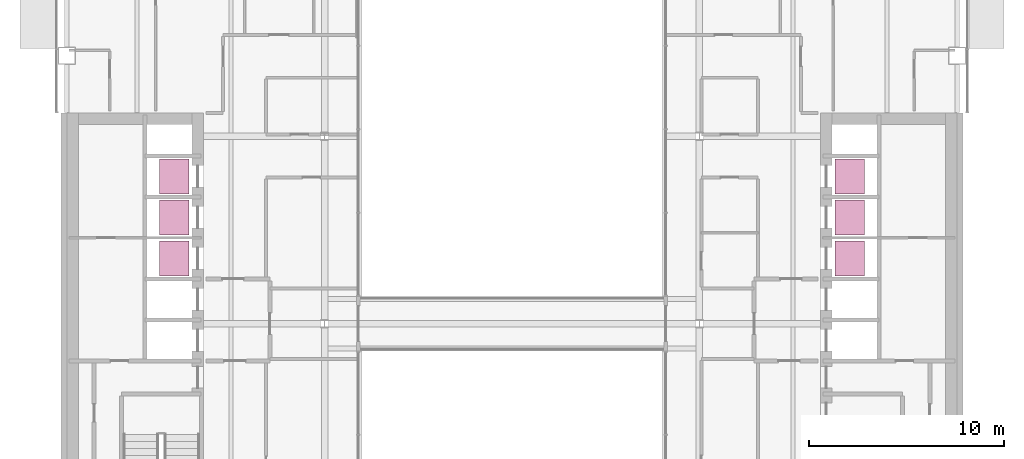
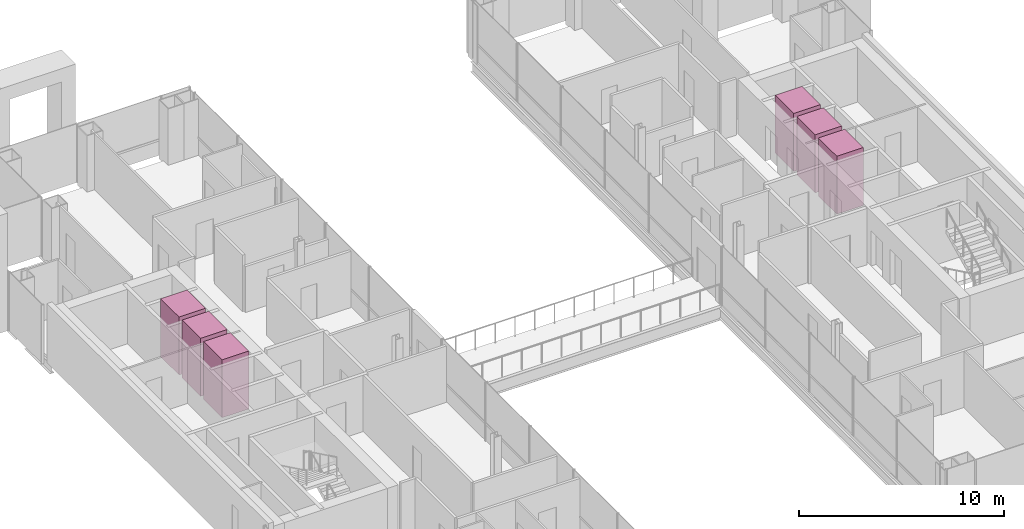
# One storey, part 17 of 17: 6 transport elements.
"""IFC4 building model written with IfcOpenShell, lengths in metres."""

from ifc_helpers import new_model, si_unit, direction, frame, origin, origin_2d, place, context, subcontext, project, spatial, rectangle, extrude, material, type_object, element, save


model = new_model("IFC4")

# Units and contexts
model_context = context("Model", 3, precision=1e-05, world=origin(), true_north=direction((0.0, 1.0)))
body_context = subcontext(model_context, "Body", "Model", "MODEL_VIEW")
ifc_project = project(units=[si_unit("LENGTHUNIT", "METRE"), si_unit("AREAUNIT", "SQUARE_METRE"), si_unit("VOLUMEUNIT", "CUBIC_METRE"), si_unit("PLANEANGLEUNIT", "RADIAN"), si_unit("MASSUNIT", "GRAM", prefix="KILO")], contexts=[model_context])

# Site, building, storey
site_placement = place(None, origin())
site = spatial("IfcSite", under=ifc_project, at=site_placement, CompositionType="ELEMENT")
building_placement = place(site_placement, origin())
building = spatial("IfcBuilding", under=site, at=building_placement, Name="Cobrizo Arcos Hotel Tower", CompositionType="ELEMENT")
storey_placement = place(building_placement, frame((0.0, 0.0, 131.0)))
storey = spatial("IfcBuildingStorey", under=building, at=storey_placement, Name="L33", CompositionType="ELEMENT", Elevation=131.0)

# Transport elements
ifc_material = material(Name="Stainless steel car", Category="steel")
transport_element_type = type_object("IfcTransportElementType", Name="Lift car Low 1.8x1.5", PredefinedType="ELEVATOR", material=ifc_material)
for number, where, z_axis, x_axis, name in (
    (1, (-17.300048828125, 3.35009765625, 0.0), (0.0, 0.0, 1.0), (1.0, 0.0, 0.0), "Low-rise passenger lift W1"),
    (2, (-17.300048828125, 5.449951171875, 0.0), (0.0, 0.0, 1.0), (1.0, 0.0, 0.0), "Low-rise passenger lift W2"),
    (3, (-17.300048828125, 7.550048828125, 0.0), (0.0, 0.0, 1.0), (1.0, 0.0, 0.0), "Low-rise passenger lift W3"),
    (4, (17.300048828125, 3.35009765625, 0.0), (0.0, 0.0, 1.0), (1.0, 0.0, 0.0), "Low-rise passenger lift E1"),
    (5, (17.300048828125, 5.449951171875, 0.0), (0.0, 0.0, 1.0), (1.0, 0.0, 0.0), "Low-rise passenger lift E2"),
    (6, (17.300048828125, 7.550048828125, 0.0), (0.0, 0.0, 1.0), (1.0, 0.0, 0.0), "Low-rise passenger lift E3"),
):
    element("IfcTransportElement", number, at=place(storey_placement, frame(where, z_axis=z_axis, x_axis=x_axis)), inside=storey, type_object=transport_element_type, Name=name, PredefinedType="ELEVATOR", context=body_context, shape_type="SweptSolid", body=[
        extrude(rectangle(XDim=1.5, YDim=1.800048828125, at=origin_2d()), origin(), (0.0, 0.0, 1.0), 3.449951171875),
    ])

save(model, "model.ifc")
